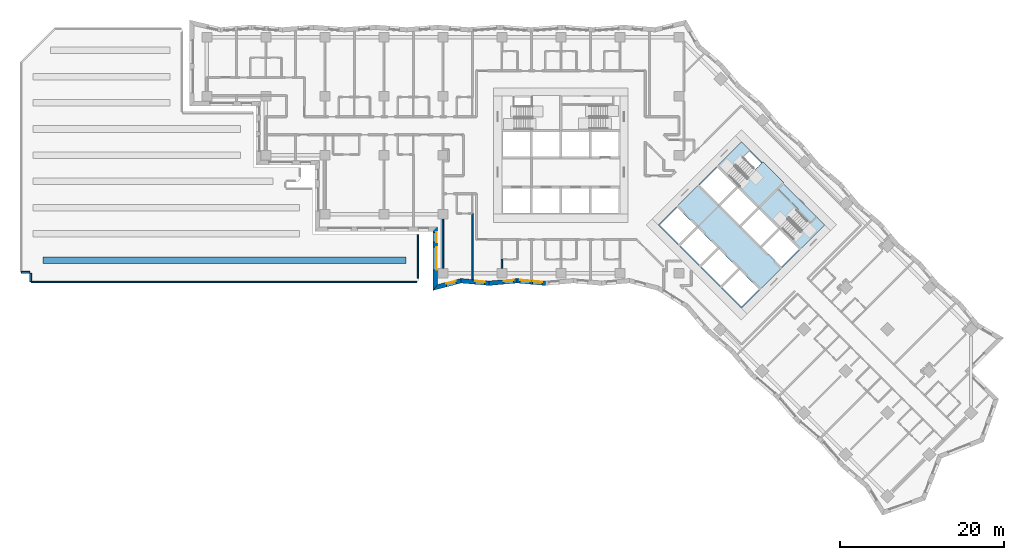
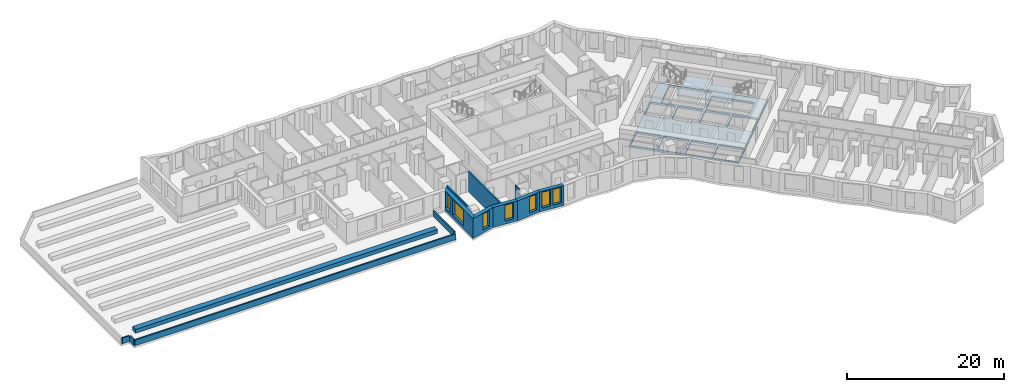
# One storey, part 2 of 15: 13 walls, 7 windows, 3 slabs, 17 openings, 2 elements without a shape of their own.
"""IFC4 building model written with IfcOpenShell, lengths in metres."""

from ifc_helpers import new_model, si_unit, direction, frame, frame_2d, origin, place, context, subcontext, project, spatial, polyline, rectangle, outline, extrude, material, layer, layer_set, type_object, element, fill, aggregate, save


model = new_model("IFC4")

# Units and contexts
model_context = context("Model", 3, precision=1e-05, world=origin(), true_north=direction((0.0, 1.0)))
body_context = subcontext(model_context, "Body", "Model", "MODEL_VIEW")
ifc_project = project(units=[si_unit("LENGTHUNIT", "METRE"), si_unit("AREAUNIT", "SQUARE_METRE"), si_unit("VOLUMEUNIT", "CUBIC_METRE"), si_unit("PLANEANGLEUNIT", "RADIAN"), si_unit("MASSUNIT", "GRAM", prefix="KILO")], contexts=[model_context])

# Site, building, storey
site_placement = place(None, origin())
site = spatial("IfcSite", under=ifc_project, at=site_placement, CompositionType="ELEMENT")
building_placement = place(site_placement, origin())
building = spatial("IfcBuilding", under=site, at=building_placement, Name="Windrow Commons", CompositionType="ELEMENT")
storey_placement = place(building_placement, frame((0.0, 0.0, 27.0)))
storey = spatial("IfcBuildingStorey", under=building, at=storey_placement, Name="L06", CompositionType="ELEMENT", Elevation=27.0)

# Slab, openings
ifc_material_1 = material(Name="Concrete C60/75", Category="concrete")
ifc_layer_1 = layer(ifc_material_1, 0.3)
ifc_layer_set_1 = layer_set([ifc_layer_1], Name="CORE FLOOR SLAB 300 C60/75")
slab_type_1 = type_object("IfcSlabType", Name="CORE FLOOR SLAB 300 C60/75", PredefinedType="FLOOR", material=ifc_layer_set_1)
slab_1_placement = place(storey_placement, frame((0.0, 0.0, -0.3)))
slab_1 = element("IfcSlab", 1, at=slab_1_placement, inside=storey, type_object=slab_type_1, Name="S-L06-core-B", PredefinedType="FLOOR", context=body_context, shape_type="SweptSolid", body=[
    extrude(outline(polyline([(76.6544, 49.0897), (86.8368, 38.9074), (97.0191, 49.0897), (86.8368, 59.2721), (76.6544, 49.0897)]), holes=[polyline([(76.8665, 49.0897), (79.2, 46.7563), (81.3213, 48.8776), (78.9879, 51.2111), (76.8665, 49.0897)]), polyline([(79.4121, 46.5442), (81.7456, 44.2107), (83.8669, 46.332), (81.5335, 48.6655), (79.4121, 46.5442)]), polyline([(81.9577, 43.9986), (84.2912, 41.6651), (86.4125, 43.7864), (84.079, 46.1199), (81.9577, 43.9986)]), polyline([(84.5033, 41.453), (86.8368, 39.1195), (88.9581, 41.2409), (86.6246, 43.5743), (84.5033, 41.453)]), polyline([(81.7456, 53.9688), (84.079, 51.6353), (86.2004, 53.7566), (83.8669, 56.0901), (81.7456, 53.9688)]), polyline([(84.2912, 51.4232), (86.6246, 49.0897), (88.7459, 51.2111), (86.4125, 53.5445), (84.2912, 51.4232)]), polyline([(86.8368, 48.8776), (89.1702, 46.5442), (91.2915, 48.6655), (88.9581, 50.9989), (86.8368, 48.8776)]), polyline([(89.3823, 46.332), (91.7158, 43.9986), (93.8371, 46.1199), (91.5037, 48.4533), (89.3823, 46.332)]), polyline([(85.0336, 55.3476), (88.9581, 51.4232), (91.7158, 54.1809), (87.7913, 58.1054), (85.0336, 55.3476)]), polyline([(89.1702, 51.2111), (93.0946, 47.2866), (95.1841, 49.3761), (91.2597, 53.3006), (89.1702, 51.2111)])]), origin(), (0.0, 0.0, 1.0), 0.3),
])
opening_1_placement = place(slab_1_placement, origin())
element("IfcOpeningElement", 2, at=opening_1_placement, cuts=slab_1, Name="Slab opening S-L06-core-B 1", PredefinedType="OPENING", context=body_context, shape_type="SweptSolid", body=[
    extrude(outline(polyline([(76.8736, 49.0897), (78.9879, 51.204), (81.3142, 48.8776), (79.2, 46.7634), (76.8736, 49.0897)])), origin(), (0.0, 0.0, 1.0), 0.3),
])
opening_2_placement = place(slab_1_placement, origin())
element("IfcOpeningElement", 3, at=opening_2_placement, cuts=slab_1, Name="Slab opening S-L06-core-B 2", PredefinedType="OPENING", context=body_context, shape_type="SweptSolid", body=[
    extrude(outline(polyline([(79.4192, 46.5442), (81.5335, 48.6584), (83.8598, 46.332), (81.7456, 44.2178), (79.4192, 46.5442)])), origin(), (0.0, 0.0, 1.0), 0.3),
])
opening_3_placement = place(slab_1_placement, origin())
element("IfcOpeningElement", 4, at=opening_3_placement, cuts=slab_1, Name="Slab opening S-L06-core-B 3", PredefinedType="OPENING", context=body_context, shape_type="SweptSolid", body=[
    extrude(outline(polyline([(81.9648, 43.9986), (84.079, 46.1128), (86.4054, 43.7864), (84.2912, 41.6722), (81.9648, 43.9986)])), origin(), (0.0, 0.0, 1.0), 0.3),
])
opening_4_placement = place(slab_1_placement, origin())
element("IfcOpeningElement", 5, at=opening_4_placement, cuts=slab_1, Name="Slab opening S-L06-core-B 4", PredefinedType="OPENING", context=body_context, shape_type="SweptSolid", body=[
    extrude(outline(polyline([(84.5104, 41.453), (86.6246, 43.5672), (88.951, 41.2409), (86.8368, 39.1266), (84.5104, 41.453)])), origin(), (0.0, 0.0, 1.0), 0.3),
])
opening_5_placement = place(slab_1_placement, origin())
element("IfcOpeningElement", 6, at=opening_5_placement, cuts=slab_1, Name="Slab opening S-L06-core-B 5", PredefinedType="OPENING", context=body_context, shape_type="SweptSolid", body=[
    extrude(outline(polyline([(81.7527, 53.9688), (83.8669, 56.083), (86.1933, 53.7566), (84.079, 51.6424), (81.7527, 53.9688)])), origin(), (0.0, 0.0, 1.0), 0.3),
])
opening_6_placement = place(slab_1_placement, origin())
element("IfcOpeningElement", 7, at=opening_6_placement, cuts=slab_1, Name="Slab opening S-L06-core-B 6", PredefinedType="OPENING", context=body_context, shape_type="SweptSolid", body=[
    extrude(outline(polyline([(84.2983, 51.4232), (86.4125, 53.5374), (88.7388, 51.2111), (86.6246, 49.0968), (84.2983, 51.4232)])), origin(), (0.0, 0.0, 1.0), 0.3),
])
opening_7_placement = place(slab_1_placement, origin())
element("IfcOpeningElement", 8, at=opening_7_placement, cuts=slab_1, Name="Slab opening S-L06-core-B 7", PredefinedType="OPENING", context=body_context, shape_type="SweptSolid", body=[
    extrude(outline(polyline([(86.8439, 48.8776), (88.9581, 50.9918), (91.2844, 48.6655), (89.1702, 46.5513), (86.8439, 48.8776)])), origin(), (0.0, 0.0, 1.0), 0.3),
])
opening_8_placement = place(slab_1_placement, origin())
element("IfcOpeningElement", 9, at=opening_8_placement, cuts=slab_1, Name="Slab opening S-L06-core-B 8", PredefinedType="OPENING", context=body_context, shape_type="SweptSolid", body=[
    extrude(outline(polyline([(89.3894, 46.332), (91.5037, 48.4462), (93.83, 46.1199), (91.7158, 44.0057), (89.3894, 46.332)])), origin(), (0.0, 0.0, 1.0), 0.3),
])
opening_9_placement = place(slab_1_placement, origin())
element("IfcOpeningElement", 10, at=opening_9_placement, cuts=slab_1, Name="Slab opening S-L06-core-B 9", PredefinedType="OPENING", context=body_context, shape_type="SweptSolid", body=[
    extrude(outline(polyline([(85.0407, 55.3476), (87.7913, 58.0983), (91.7087, 54.1809), (88.9581, 51.4303), (85.0407, 55.3476)])), origin(), (0.0, 0.0, 1.0), 0.3),
])
opening_10_placement = place(slab_1_placement, origin())
element("IfcOpeningElement", 11, at=opening_10_placement, cuts=slab_1, Name="Slab opening S-L06-core-B 10", PredefinedType="OPENING", context=body_context, shape_type="SweptSolid", body=[
    extrude(outline(polyline([(89.1773, 51.2111), (91.2597, 53.2935), (95.177, 49.3761), (93.0946, 47.2937), (89.1773, 51.2111)])), origin(), (0.0, 0.0, 1.0), 0.3),
])

# Stair, slab
ifc_material_2 = material(Name="Concrete C40/50", Category="concrete")
stair_type = type_object("IfcStairType", Name="Core stair", PredefinedType="HALF_TURN_STAIR", material=ifc_material_2)
placement_1 = place(storey_placement, origin())
stair_1 = element("IfcStair", 12, at=placement_1, inside=storey, type_object=stair_type, Name="L06 Exit stair B1 core B", PredefinedType="HALF_TURN_STAIR")
ifc_material_3 = material(Name="Concrete C40/50", Category="concrete")
ifc_layer_2 = layer(ifc_material_3, 0.2)
ifc_layer_set_2 = layer_set([ifc_layer_2], Name="Core stair landing")
slab_type_2 = type_object("IfcSlabType", Name="Core stair landing", PredefinedType="LANDING", material=ifc_layer_set_2)
placement_2 = place(storey_placement, frame((0.0, 0.0, 1.5)))
slab_2 = element("IfcSlab", 13, at=placement_2, type_object=slab_type_2, Name="ST-B1 landing 1", PredefinedType="LANDING", context=body_context, shape_type="SweptSolid", body=[
    extrude(outline(polyline([(86.3559, 53.6718), (88.8874, 51.1403), (91.9986, 54.2516), (89.4672, 56.7831), (86.3559, 53.6718)])), origin(), (0.0, 0.0, 1.0), 0.2),
])
aggregate(stair_1, [slab_2])

stair_2 = element("IfcStair", 14, at=placement_1, inside=storey, type_object=stair_type, Name="L06 Exit stair B2 core B", PredefinedType="HALF_TURN_STAIR")
slab_3 = element("IfcSlab", 15, at=placement_2, type_object=slab_type_2, Name="ST-B2 landing 1", PredefinedType="LANDING", context=body_context, shape_type="SweptSolid", body=[
    extrude(outline(polyline([(88.8874, 51.1403), (91.4188, 48.6089), (93.7911, 50.9812), (91.2597, 53.5127), (88.8874, 51.1403)])), origin(), (0.0, 0.0, 1.0), 0.2),
])
aggregate(stair_2, [slab_3])

# Wall, openings, windows
ifc_material_4 = material(Name="Brick masonry, red clay brick", Category="masonry")
ifc_layer_3 = layer(ifc_material_4, 0.55)
ifc_layer_set_3 = layer_set([ifc_layer_3], Name="Brick facade wall 550")
wall_type_1 = type_object("IfcWallType", Name="Brick facade wall 550", PredefinedType="SOLIDWALL", material=ifc_layer_set_3)
wall_1_placement = place(storey_placement, frame((49.475, 48.575, 0.0), z_axis=(0.0, 0.0, 1.0), x_axis=(0.0, -1.0, 0.0)))
wall_1 = element("IfcWall", 16, at=wall_1_placement, inside=storey, type_object=wall_type_1, Name="Brick facade wall L06 45", PredefinedType="SOLIDWALL", context=body_context, shape_type="SweptSolid", body=[
    extrude(outline(polyline([(0.275, -0.275), (7.475, -0.275), (6.7617, 0.275), (-0.275, 0.275), (0.275, -0.275)])), origin(), (0.0, 0.0, 1.0), 3.1),
])
opening_11_placement = place(wall_1_placement, frame((2.175, 0.0, 0.5)))
opening_11 = element("IfcOpeningElement", 17, at=opening_11_placement, cuts=wall_1, Name="Opening W1T", PredefinedType="OPENING", context=body_context, shape_type="SweptSolid", body=[
    extrude(rectangle(XDim=2.8, YDim=2.45, at=frame_2d((1.4, 1.225))), frame((0.0, 0.285, 0.0), z_axis=(0.0, -1.0, 0.0), x_axis=(1.0, 0.0, 0.0)), (0.0, 0.0, 1.0), 0.57),
])
opening_12_placement = place(wall_1_placement, frame((0.3875, 0.0, 0.5)))
opening_12 = element("IfcOpeningElement", 18, at=opening_12_placement, cuts=wall_1, Name="Opening W7D", PredefinedType="OPENING", context=body_context, shape_type="SweptSolid", body=[
    extrude(rectangle(XDim=1.2, YDim=2.45, at=frame_2d((0.6, 1.225))), frame((0.0, 0.285, 0.0), z_axis=(0.0, -1.0, 0.0), x_axis=(1.0, 0.0, 0.0)), (0.0, 0.0, 1.0), 0.57),
])
ifc_material_5 = material(Name="Clear float glass in anodised aluminium frame", Category="aluminium")
window_type_1 = type_object("IfcWindowType", Name="Window W1T bedroom 2800x2450", PartitioningType="SINGLE_PANEL", PredefinedType="WINDOW", material=ifc_material_5)
window_1_placement = place(opening_11_placement, origin())
window_1 = element("IfcWindow", 19, at=window_1_placement, inside=storey, type_object=window_type_1, Name="Window L06 45.1", OverallHeight=2.45, OverallWidth=2.8, PartitioningType="SINGLE_PANEL", PredefinedType="WINDOW", context=body_context, shape_type="SweptSolid", body=[
    extrude(rectangle(XDim=2.8, YDim=2.45, at=frame_2d((1.4, 1.225))), frame((0.0, 0.155, 0.0), z_axis=(0.0, -1.0, 0.0), x_axis=(1.0, 0.0, 0.0)), (0.0, 0.0, 1.0), 0.06),
])
fill(opening_11, window_1)
ifc_material_6 = material(Name="Clear float glass in anodised aluminium frame", Category="aluminium")
window_type_2 = type_object("IfcWindowType", Name="Window W7 notch 1200x2450", PartitioningType="SINGLE_PANEL", PredefinedType="WINDOW", material=ifc_material_6)
window_2_placement = place(opening_12_placement, origin())
window_2 = element("IfcWindow", 20, at=window_2_placement, inside=storey, type_object=window_type_2, Name="Window L06 45.2", OverallHeight=2.45, OverallWidth=1.2, PartitioningType="SINGLE_PANEL", PredefinedType="WINDOW", context=body_context, shape_type="SweptSolid", body=[
    extrude(rectangle(XDim=1.2, YDim=2.45, at=frame_2d((0.6, 1.225))), frame((0.0, 0.155, 0.0), z_axis=(0.0, -1.0, 0.0), x_axis=(1.0, 0.0, 0.0)), (0.0, 0.0, 1.0), 0.06),
])
fill(opening_12, window_2)

# Wall, opening, window
wall_2_placement = place(storey_placement, frame((49.475, 41.4567, 0.0), z_axis=(0.0, 0.0, 1.0), x_axis=(0.9671322544, 0.2542738729, 0.0)))
wall_2 = element("IfcWall", 21, at=wall_2_placement, inside=storey, type_object=wall_type_1, Name="Brick facade wall L06 46", PredefinedType="SOLIDWALL", context=body_context, shape_type="SweptSolid", body=[
    extrude(outline(polyline([(-0.3567, -0.275), (3.1826, -0.275), (3.2783, 0.275), (0.3567, 0.275), (-0.3567, -0.275)])), origin(), (0.0, 0.0, 1.0), 3.1),
])
opening_13_placement = place(wall_2_placement, frame((1.3934, 0.0, 0.5)))
opening_13 = element("IfcOpeningElement", 22, at=opening_13_placement, cuts=wall_2, Name="Opening W7D", PredefinedType="OPENING", context=body_context, shape_type="SweptSolid", body=[
    extrude(rectangle(XDim=1.2, YDim=2.45, at=frame_2d((0.6, 1.225))), frame((0.0, 0.285, 0.0), z_axis=(0.0, -1.0, 0.0), x_axis=(1.0, 0.0, 0.0)), (0.0, 0.0, 1.0), 0.57),
])
window_3_placement = place(opening_13_placement, origin())
window_3 = element("IfcWindow", 23, at=window_3_placement, inside=storey, type_object=window_type_2, Name="Window L06 46.1", OverallHeight=2.45, OverallWidth=1.2, PartitioningType="SINGLE_PANEL", PredefinedType="WINDOW", context=body_context, shape_type="SweptSolid", body=[
    extrude(rectangle(XDim=1.2, YDim=2.45, at=frame_2d((0.6, 1.225))), frame((0.0, 0.155, 0.0), z_axis=(0.0, -1.0, 0.0), x_axis=(1.0, 0.0, 0.0)), (0.0, 0.0, 1.0), 0.06),
])
fill(opening_13, window_3)

wall_3_placement = place(storey_placement, frame((52.5992, 42.2781, 0.0), z_axis=(0.0, 0.0, 1.0), x_axis=(0.9961831061, -0.0872881385, 0.0)))
wall_3 = element("IfcWall", 24, at=wall_3_placement, inside=storey, type_object=wall_type_1, Name="Brick facade wall L06 47", PredefinedType="SOLIDWALL", context=body_context, shape_type="SweptSolid", body=[
    extrude(outline(polyline([(0.0478, -0.275), (3.4839, -0.275), (3.4357, 0.275), (-0.0478, 0.275), (0.0478, -0.275)])), origin(), (0.0, 0.0, 1.0), 3.1),
])
opening_14_placement = place(wall_3_placement, frame((1.7209, 0.0, 0.5)))
opening_14 = element("IfcOpeningElement", 25, at=opening_14_placement, cuts=wall_3, Name="Opening W7D", PredefinedType="OPENING", context=body_context, shape_type="SweptSolid", body=[
    extrude(rectangle(XDim=1.2, YDim=2.45, at=frame_2d((0.6, 1.225))), frame((0.0, 0.285, 0.0), z_axis=(0.0, -1.0, 0.0), x_axis=(1.0, 0.0, 0.0)), (0.0, 0.0, 1.0), 0.57),
])
window_4_placement = place(opening_14_placement, origin())
window_4 = element("IfcWindow", 26, at=window_4_placement, inside=storey, type_object=window_type_2, Name="Window L06 47.1", OverallHeight=2.45, OverallWidth=1.2, PartitioningType="SINGLE_PANEL", PredefinedType="WINDOW", context=body_context, shape_type="SweptSolid", body=[
    extrude(rectangle(XDim=1.2, YDim=2.45, at=frame_2d((0.6, 1.225))), frame((0.0, 0.155, 0.0), z_axis=(0.0, -1.0, 0.0), x_axis=(1.0, 0.0, 0.0)), (0.0, 0.0, 1.0), 0.06),
])
fill(opening_14, window_4)

wall_4_placement = place(storey_placement, frame((56.0458, 41.9761, 0.0), z_axis=(0.0, 0.0, 1.0), x_axis=(0.996181166, 0.0873102778, 0.0)))
wall_4 = element("IfcWall", 27, at=wall_4_placement, inside=storey, type_object=wall_type_1, Name="Brick facade wall L06 48", PredefinedType="SOLIDWALL", context=body_context, shape_type="SweptSolid", body=[
    extrude(outline(polyline([(-0.0241, -0.275), (3.4119, -0.275), (3.4601, 0.275), (0.0241, 0.275), (-0.0241, -0.275)])), origin(), (0.0, 0.0, 1.0), 3.1),
])
opening_15_placement = place(wall_4_placement, frame((1.7981, 0.0, 0.5)))
opening_15 = element("IfcOpeningElement", 28, at=opening_15_placement, cuts=wall_4, Name="Opening W7D", PredefinedType="OPENING", context=body_context, shape_type="SweptSolid", body=[
    extrude(rectangle(XDim=1.2, YDim=2.45, at=frame_2d((0.6, 1.225))), frame((0.0, 0.285, 0.0), z_axis=(0.0, -1.0, 0.0), x_axis=(1.0, 0.0, 0.0)), (0.0, 0.0, 1.0), 0.57),
])
window_5_placement = place(opening_15_placement, origin())
window_5 = element("IfcWindow", 29, at=window_5_placement, inside=storey, type_object=window_type_2, Name="Window L06 48.1", OverallHeight=2.45, OverallWidth=1.2, PartitioningType="SINGLE_PANEL", PredefinedType="WINDOW", context=body_context, shape_type="SweptSolid", body=[
    extrude(rectangle(XDim=1.2, YDim=2.45, at=frame_2d((0.6, 1.225))), frame((0.0, 0.155, 0.0), z_axis=(0.0, -1.0, 0.0), x_axis=(1.0, 0.0, 0.0)), (0.0, 0.0, 1.0), 0.06),
])
fill(opening_15, window_5)

# Wall, openings, windows
wall_5_placement = place(storey_placement, frame((59.4687, 42.2761, 0.0), z_axis=(0.0, 0.0, 1.0), x_axis=(0.996181166, -0.0873102778, 0.0)))
wall_5 = element("IfcWall", 30, at=wall_5_placement, inside=storey, type_object=wall_type_1, Name="Brick facade wall L06 49", PredefinedType="SOLIDWALL", context=body_context, shape_type="SweptSolid", body=[
    extrude(outline(polyline([(0.0241, -0.275), (3.4601, -0.275), (3.4119, 0.275), (-0.0241, 0.275), (0.0241, -0.275)])), origin(), (0.0, 0.0, 1.0), 3.1),
])
opening_16_placement = place(wall_5_placement, frame((0.369, 0.0, 0.5)))
opening_16 = element("IfcOpeningElement", 31, at=opening_16_placement, cuts=wall_5, Name="Opening W7D", PredefinedType="OPENING", context=body_context, shape_type="SweptSolid", body=[
    extrude(rectangle(XDim=1.2, YDim=2.45, at=frame_2d((0.6, 1.225))), frame((0.0, 0.285, 0.0), z_axis=(0.0, -1.0, 0.0), x_axis=(1.0, 0.0, 0.0)), (0.0, 0.0, 1.0), 0.57),
])
opening_17_placement = place(wall_5_placement, frame((1.8749, 0.0, 0.5)))
opening_17 = element("IfcOpeningElement", 32, at=opening_17_placement, cuts=wall_5, Name="Opening W7D", PredefinedType="OPENING", context=body_context, shape_type="SweptSolid", body=[
    extrude(rectangle(XDim=1.2, YDim=2.45, at=frame_2d((0.6, 1.225))), frame((0.0, 0.285, 0.0), z_axis=(0.0, -1.0, 0.0), x_axis=(1.0, 0.0, 0.0)), (0.0, 0.0, 1.0), 0.57),
])
window_6_placement = place(opening_16_placement, origin())
window_6 = element("IfcWindow", 33, at=window_6_placement, inside=storey, type_object=window_type_2, Name="Window L06 49.1", OverallHeight=2.45, OverallWidth=1.2, PartitioningType="SINGLE_PANEL", PredefinedType="WINDOW", context=body_context, shape_type="SweptSolid", body=[
    extrude(rectangle(XDim=1.2, YDim=2.45, at=frame_2d((0.6, 1.225))), frame((0.0, 0.155, 0.0), z_axis=(0.0, -1.0, 0.0), x_axis=(1.0, 0.0, 0.0)), (0.0, 0.0, 1.0), 0.06),
])
fill(opening_16, window_6)
window_7_placement = place(opening_17_placement, origin())
window_7 = element("IfcWindow", 34, at=window_7_placement, inside=storey, type_object=window_type_2, Name="Window L06 49.2", OverallHeight=2.45, OverallWidth=1.2, PartitioningType="SINGLE_PANEL", PredefinedType="WINDOW", context=body_context, shape_type="SweptSolid", body=[
    extrude(rectangle(XDim=1.2, YDim=2.45, at=frame_2d((0.6, 1.225))), frame((0.0, 0.155, 0.0), z_axis=(0.0, -1.0, 0.0), x_axis=(1.0, 0.0, 0.0)), (0.0, 0.0, 1.0), 0.06),
])
fill(opening_17, window_7)

# Walls
ifc_material_7 = material(Name="Blockwork partition", Category="masonry")
ifc_layer_4 = layer(ifc_material_7, 0.2)
ifc_layer_set_4 = layer_set([ifc_layer_4], Name="IW-PARTY-200")
wall_type_2 = type_object("IfcWallType", Name="IW-PARTY-200", PredefinedType="PARTITIONING", material=ifc_layer_set_4)
wall_6_placement = place(storey_placement, frame((54.0, 42.4314, 0.0), z_axis=(0.0, 0.0, 1.0), x_axis=(0.0, 1.0, 0.0)))
element("IfcWall", 35, at=wall_6_placement, inside=storey, type_object=wall_type_2, Name="W-L06-W015", PredefinedType="PARTITIONING", context=body_context, shape_type="SweptSolid", body=[
    extrude(rectangle(XDim=8.0686, YDim=0.2, at=frame_2d((4.0343, 0.0))), origin(), (0.0, 0.0, 1.0), 3.1),
])
wall_7_placement = place(storey_placement, frame((50.4, 43.8, 0.0), z_axis=(0.0, 0.0, 1.0), x_axis=(0.0, 1.0, 0.0)))
element("IfcWall", 36, at=wall_7_placement, inside=storey, type_object=wall_type_2, Name="W-L06-W033", PredefinedType="PARTITIONING", context=body_context, shape_type="SweptSolid", body=[
    extrude(rectangle(XDim=6.0, YDim=0.2, at=frame_2d((3.0, 0.0))), origin(), (0.0, 0.0, 1.0), 2.6),
])
wall_8_placement = place(storey_placement, frame((57.6, 43.8, 0.0), z_axis=(0.0, 0.0, 1.0), x_axis=(0.0, 1.0, 0.0)))
element("IfcWall", 37, at=wall_8_placement, inside=storey, type_object=wall_type_2, Name="W-L06-W184", PredefinedType="PARTITIONING", context=body_context, shape_type="SweptSolid", body=[
    extrude(rectangle(XDim=1.1, YDim=0.2, at=frame_2d((0.55, 0.0))), origin(), (0.0, 0.0, 1.0), 3.1),
])
ifc_material_8 = material(Name="Concrete C30/37 planter wall", Category="concrete")
ifc_layer_5 = layer(ifc_material_8, 0.8)
ifc_layer_set_5 = layer_set([ifc_layer_5], Name="Planter 800x600")
wall_type_3 = type_object("IfcWallType", Name="Planter 800x600", PredefinedType="SOLIDWALL", material=ifc_layer_set_5)
wall_9_placement = place(storey_placement, frame((1.6, 44.8, 0.0), z_axis=(0.0, 0.0, 1.0), x_axis=(1.0, 0.0, 0.0)))
element("IfcWall", 38, at=wall_9_placement, inside=storey, type_object=wall_type_3, Name="PLANTER L05 roof 1", PredefinedType="SOLIDWALL", context=body_context, shape_type="SweptSolid", body=[
    extrude(rectangle(XDim=44.28, YDim=0.8, at=frame_2d((22.14, 0.0))), origin(), (0.0, 0.0, 1.0), 0.6),
])
ifc_material_9 = material(Name="Brick masonry, red clay brick", Category="masonry")
ifc_layer_6 = layer(ifc_material_9, 0.2)
ifc_layer_set_6 = layer_set([ifc_layer_6], Name="Terrace edge parapet 200")
wall_type_4 = type_object("IfcWallType", Name="Terrace edge parapet 200", PredefinedType="PARAPET", material=ifc_layer_set_6)
wall_10_placement = place(storey_placement, frame((47.36, 47.9, 0.0), z_axis=(0.0, 0.0, 1.0), x_axis=(0.0, -1.0, 0.0)))
element("IfcWall", 39, at=wall_10_placement, inside=storey, type_object=wall_type_4, Name="Roof parapet L05 10", PredefinedType="PARAPET", context=body_context, shape_type="SweptSolid", body=[
    extrude(rectangle(XDim=5.3263, YDim=0.2, at=frame_2d((2.6631, 0.0))), origin(), (0.0, 0.0, 1.0), 0.9),
])
wall_11_placement = place(storey_placement, frame((47.1849, 42.12, 0.0), z_axis=(0.0, 0.0, 1.0), x_axis=(-1.0, 0.0, 0.0)))
element("IfcWall", 40, at=wall_11_placement, inside=storey, type_object=wall_type_4, Name="Roof parapet L05 11", PredefinedType="PARAPET", context=body_context, shape_type="SweptSolid", body=[
    extrude(rectangle(XDim=47.0198, YDim=0.2, at=frame_2d((23.5099, 0.0))), origin(), (0.0, 0.0, 1.0), 0.9),
])
for number, where, z_axis, x_axis, name in (
    (41, (0.12, 42.1651, 0.0), (0.0, 0.0, 1.0), (0.0, 1.0, 0.0), "Roof parapet L05 12"),
    (42, (0.0, 43.32, 0.0), (0.0, 0.0, 1.0), (-1.0, 0.0, 0.0), "Roof parapet L05 13"),
):
    element("IfcWall", number, at=place(storey_placement, frame(where, z_axis=z_axis, x_axis=x_axis)), inside=storey, type_object=wall_type_4, Name=name, PredefinedType="PARAPET", context=body_context, shape_type="SweptSolid", body=[
        extrude(rectangle(XDim=1.0349, YDim=0.2, at=frame_2d((0.5174, 0.0))), origin(), (0.0, 0.0, 1.0), 0.9),
    ])

save(model, "model.ifc")
